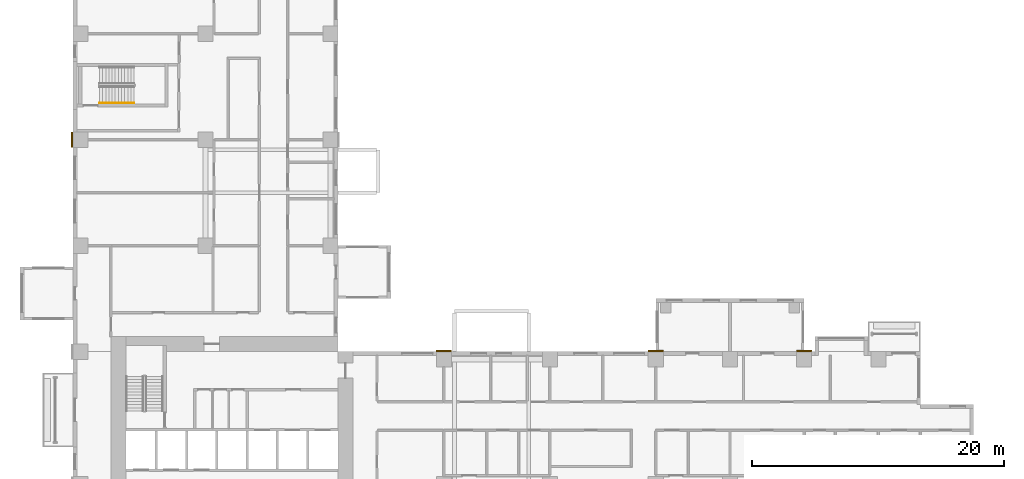
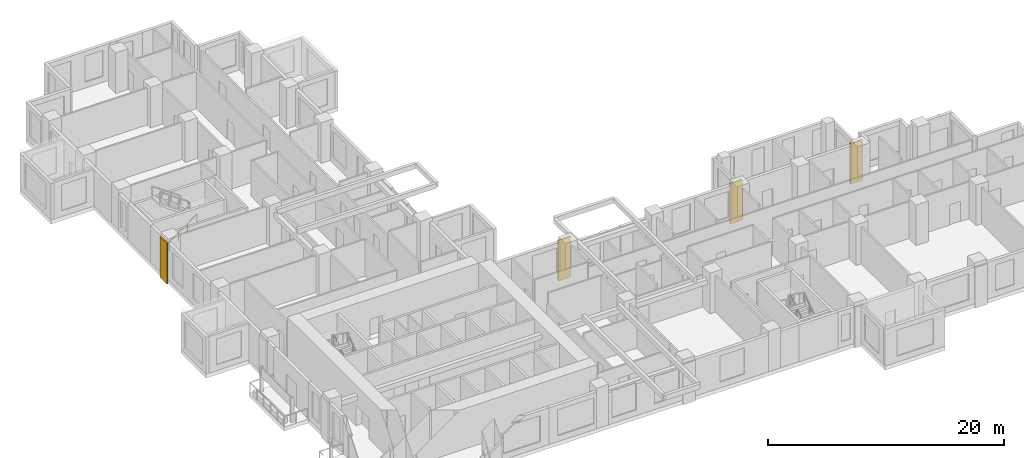
# One storey, part 13 of 15: 4 coverings, 1 railing.
"""IFC4 building model written with IfcOpenShell, lengths in metres."""

from ifc_helpers import new_model, si_unit, direction, frame, origin, origin_2d, place, context, subcontext, project, spatial, rectangle, circle, extrude, source, transform, mapped, material, type_object, element, save


model = new_model("IFC4")

# Units and contexts
model_context = context("Model", 3, precision=1e-05, world=origin(), true_north=direction((0.0, 1.0)))
body_context = subcontext(model_context, "Body", "Model", "MODEL_VIEW")
ifc_project = project(units=[si_unit("LENGTHUNIT", "METRE"), si_unit("AREAUNIT", "SQUARE_METRE"), si_unit("VOLUMEUNIT", "CUBIC_METRE"), si_unit("PLANEANGLEUNIT", "RADIAN"), si_unit("MASSUNIT", "GRAM", prefix="KILO")], contexts=[model_context])

# Site, building, storey
site_placement = place(None, origin())
site = spatial("IfcSite", under=ifc_project, at=site_placement, CompositionType="ELEMENT")
building_placement = place(site_placement, origin())
building = spatial("IfcBuilding", under=site, at=building_placement, Name="Aurelian Terraces", CompositionType="ELEMENT")
storey_placement = place(building_placement, frame((0.0, 0.0, 61.5)))
storey = spatial("IfcBuildingStorey", under=building, at=storey_placement, Name="L12", CompositionType="ELEMENT", Elevation=61.5)

# Coverings
ifc_material_1 = material(Name="Terracotta rainscreen cladding relief", Category="masonry")
covering_type = type_object("IfcCoveringType", Name="BAGUETTE-TC", PredefinedType="CLADDING", material=ifc_material_1)
shared_shape_1 = source(origin(), body_context, "Body", "SweptSolid", [
    extrude(rectangle(XDim=1.2, YDim=0.12, at=origin_2d()), origin(), (0.0, 0.0, 1.0), 4.2),
])
for number, where, z_axis, x_axis, name in (
    (1, (29.4, 21.06, -0.4), (0.0, 0.0, 1.0), (1.0, 0.0, 0.0), "BAGUETTE pier L12 6"),
    (2, (46.2, 21.06, -0.4), (0.0, 0.0, 1.0), (1.0, 0.0, 0.0), "BAGUETTE pier L12 7"),
    (3, (57.96, 21.06, -0.4), (0.0, 0.0, 1.0), (1.0, 0.0, 0.0), "BAGUETTE pier L12 8"),
):
    element("IfcCovering", number, at=place(storey_placement, frame(where, z_axis=z_axis, x_axis=x_axis)), inside=storey, type_object=covering_type, Name=name, PredefinedType="CLADDING", context=body_context, shape_type="MappedRepresentation", body=[
        mapped(shared_shape_1, transform((0.0, 0.0, 0.0), scale=1.0)),
    ])
shared_shape_2 = source(origin(), body_context, "Body", "SweptSolid", [
    extrude(rectangle(XDim=0.12, YDim=1.2, at=origin_2d()), origin(), (0.0, 0.0, 1.0), 4.2),
])
covering_placement = place(storey_placement, frame((-0.06, 37.8, -0.4), z_axis=(0.0, 0.0, 1.0), x_axis=(1.0, 0.0, 0.0)))
element("IfcCovering", 4, at=covering_placement, inside=storey, type_object=covering_type, Name="BAGUETTE pier L12 10", PredefinedType="CLADDING", context=body_context, shape_type="MappedRepresentation", body=[
    mapped(shared_shape_2, transform((0.0, 0.0, 0.0), scale=1.0)),
])

# Railing
ifc_material_2 = material(Name="Stainless steel", Category="steel")
railing_type = type_object("IfcRailingType", Name="Stair handrail", PredefinedType="HANDRAIL", material=ifc_material_2)
shared_shape_3 = source(origin(), body_context, "Body", "SweptSolid", [
    extrude(circle(Radius=0.024, at=origin_2d()), frame((0.0, 0.0, 0.876), z_axis=(0.819231920519, 0.0, 0.573462344363), x_axis=(0.0, 1.0, 0.0)), (0.0, 0.0, 1.0), 3.3568),
    extrude(circle(Radius=0.021, at=origin_2d()), origin(), (0.0, 0.0, 1.0), 0.852),
    extrude(circle(Radius=0.021, at=origin_2d()), frame((0.9167, 0.0, 0.6417)), (0.0, 0.0, 1.0), 0.852),
    extrude(circle(Radius=0.021, at=origin_2d()), frame((1.8333, 0.0, 1.2833)), (0.0, 0.0, 1.0), 0.852),
    extrude(circle(Radius=0.021, at=origin_2d()), frame((2.75, 0.0, 1.925)), (0.0, 0.0, 1.0), 0.852),
])
railing_placement = place(storey_placement, frame((2.1, 40.7, 0.175)))
element("IfcRailing", 5, at=railing_placement, inside=storey, type_object=railing_type, Name="L12 S3 stair handrail 1", PredefinedType="HANDRAIL", context=body_context, shape_type="MappedRepresentation", body=[
    mapped(shared_shape_3, transform((0.0, 0.0, 0.0), scale=1.0)),
])

save(model, "model.ifc")
